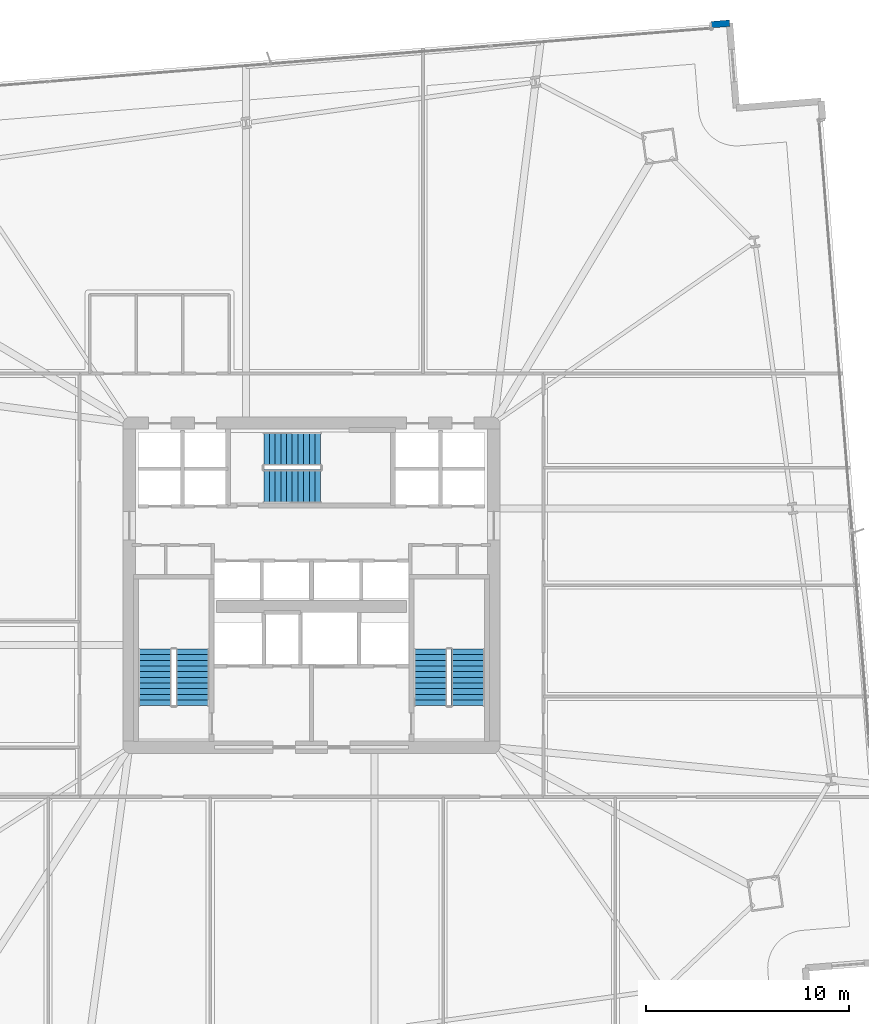
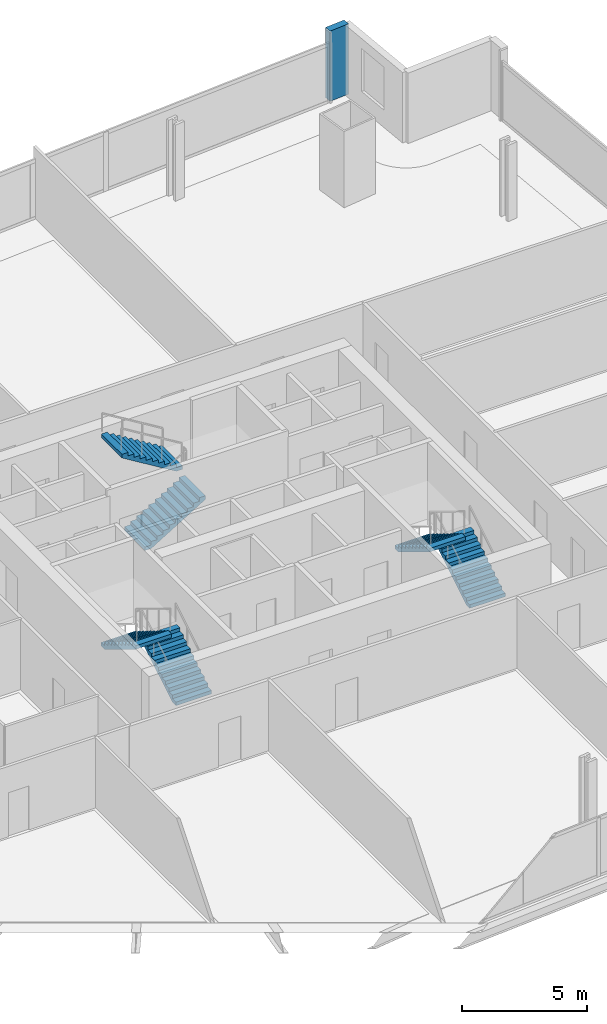
# One storey, part 28 of 33: 6 stair flights, 1 wall, 3 elements without a shape of their own.
"""IFC4 building model written with IfcOpenShell, lengths in metres."""

from ifc_helpers import new_model, si_unit, direction, frame, frame_2d, origin, place, context, subcontext, project, spatial, polyline, rectangle, outline, extrude, material, layer, layer_set, type_object, element, aggregate, save


model = new_model("IFC4")

# Units and contexts
model_context = context("Model", 3, precision=1e-05, world=origin(), true_north=direction((0.0, 1.0)))
body_context = subcontext(model_context, "Body", "Model", "MODEL_VIEW")
ifc_project = project(units=[si_unit("LENGTHUNIT", "METRE"), si_unit("AREAUNIT", "SQUARE_METRE"), si_unit("VOLUMEUNIT", "CUBIC_METRE"), si_unit("PLANEANGLEUNIT", "RADIAN"), si_unit("MASSUNIT", "GRAM", prefix="KILO")], contexts=[model_context])

# Site, building, storey
site_placement = place(None, origin())
site = spatial("IfcSite", under=ifc_project, at=site_placement, CompositionType="ELEMENT")
building_placement = place(site_placement, origin())
building = spatial("IfcBuilding", under=site, at=building_placement, Name="Haldenkirk Collegiate Tower", CompositionType="ELEMENT")
storey_placement = place(building_placement, frame((0.0, 0.0, 43.949951171875)))
storey = spatial("IfcBuildingStorey", under=building, at=storey_placement, Name="L09", CompositionType="ELEMENT", Elevation=43.949951171875)

# Wall
ifc_material_1 = material(Name="Precast concrete f'c 40 MPa", Category="concrete")
ifc_layer = layer(ifc_material_1, 0.320068359375)
ifc_layer_set = layer_set([ifc_layer], Name="Precast concrete f'c 40 MPa")
wall_type = type_object("IfcWallType", Name="WL-EXT-TWR-320", PredefinedType="STANDARD", material=ifc_layer_set)
wall_placement = place(storey_placement, frame((55.744384765625, 53.672607421875, 0.0), z_axis=(0.0, 0.0, 1.0), x_axis=(0.996770262962, 0.080305932999, 0.0)))
element("IfcWall", 1, at=wall_placement, inside=storey, type_object=wall_type, Name="L09 precast corner pier NR", PredefinedType="STANDARD", context=body_context, shape_type="SweptSolid", body=[
    extrude(rectangle(XDim=0.89990234375, YDim=0.320068359375, at=frame_2d((0.449951171875, 0.0))), origin(), (0.0, 0.0, 1.0), 3.43994140625),
])

# Stair, stair flights
ifc_material_2 = material(Name="Concrete f'c 40 MPa", Category="concrete")
stair_type = type_object("IfcStairType", Name="STR-DOGLEG-1650", PredefinedType="HALF_TURN_STAIR", material=ifc_material_2)
stair_1_placement = place(storey_placement, origin())
stair_1 = element("IfcStair", 2, at=stair_1_placement, inside=storey, type_object=stair_type, Name="L09 Core Exit Stair ST-1", PredefinedType="HALF_TURN_STAIR")
stair_flight_type = type_object("IfcStairFlightType", Name="STF-FLIGHT-1650", PredefinedType="STRAIGHT", material=ifc_material_2)
stair_flight_1_placement = place(storey_placement, frame((30.125, 20.050048828125, 0.0), z_axis=(0.0, 0.0, 1.0), x_axis=(0.0, 1.0, 0.0)))
stair_flight_1 = element("IfcStairFlight", 3, at=stair_flight_1_placement, type_object=stair_flight_type, Name="ST-1 flight 1", NumberOfRisers=11, NumberOfTreads=10, PredefinedType="STRAIGHT", RiserHeight=0.170454545, TreadLength=0.28, context=body_context, shape_type="SweptSolid", body=[
    extrude(outline(polyline([(0.0, 0.0), (0.0, 0.17041015625), (0.280029296875, 0.17041015625), (0.280029296875, 0.3408203125), (0.56005859375, 0.3408203125), (0.56005859375, 0.511474609375), (0.840087890625, 0.511474609375), (0.840087890625, 0.681884765625), (1.1201171875, 0.681884765625), (1.1201171875, 0.852294921875), (1.39990234375, 0.852294921875), (1.39990234375, 1.022705078125), (1.679931640625, 1.022705078125), (1.679931640625, 1.193115234375), (1.9599609375, 1.193115234375), (1.9599609375, 1.363525390625), (2.239990234375, 1.363525390625), (2.239990234375, 1.5341796875), (2.52001953125, 1.5341796875), (2.52001953125, 1.70458984375), (2.800048828125, 1.70458984375), (2.800048828125, 1.875), (2.800048828125, 1.529052734375), (0.288330078125, 0.0), (0.0, 0.0)])), frame((0.0, 0.824951171875, 0.0), z_axis=(0.0, -1.0, 0.0), x_axis=(1.0, 0.0, 0.0)), (0.0, 0.0, 1.0), 1.64990234375),
])
stair_flight_2_placement = place(storey_placement, frame((28.27490234375, 22.85009765625, 1.875), z_axis=(0.0, 0.0, 1.0), x_axis=(0.0, -1.0, 0.0)))
stair_flight_2 = element("IfcStairFlight", 4, at=stair_flight_2_placement, type_object=stair_flight_type, Name="ST-1 flight 2", NumberOfRisers=11, NumberOfTreads=10, PredefinedType="STRAIGHT", RiserHeight=0.170454545, TreadLength=0.28, context=body_context, shape_type="SweptSolid", body=[
    extrude(outline(polyline([(0.0, 0.0), (0.0, 0.17041015625), (0.280029296875, 0.17041015625), (0.280029296875, 0.3408203125), (0.56005859375, 0.3408203125), (0.56005859375, 0.511474609375), (0.840087890625, 0.511474609375), (0.840087890625, 0.681884765625), (1.1201171875, 0.681884765625), (1.1201171875, 0.852294921875), (1.39990234375, 0.852294921875), (1.39990234375, 1.022705078125), (1.679931640625, 1.022705078125), (1.679931640625, 1.193115234375), (1.9599609375, 1.193115234375), (1.9599609375, 1.363525390625), (2.239990234375, 1.363525390625), (2.239990234375, 1.5341796875), (2.52001953125, 1.5341796875), (2.52001953125, 1.70458984375), (2.800048828125, 1.70458984375), (2.800048828125, 1.875), (2.800048828125, 1.529052734375), (0.288330078125, 0.0), (0.0, 0.0)])), frame((0.0, 0.824951171875, 0.0), z_axis=(0.0, -1.0, 0.0), x_axis=(1.0, 0.0, 0.0)), (0.0, 0.0, 1.0), 1.64990234375),
])
aggregate(stair_1, [stair_flight_1, stair_flight_2])

stair_2_placement = place(storey_placement, origin())
stair_2 = element("IfcStair", 5, at=stair_2_placement, inside=storey, type_object=stair_type, Name="L09 Core Exit Stair ST-2", PredefinedType="HALF_TURN_STAIR")
stair_flight_3_placement = place(storey_placement, frame((43.72509765625, 20.050048828125, 0.0), z_axis=(0.0, 0.0, 1.0), x_axis=(0.0, 1.0, 0.0)))
stair_flight_3 = element("IfcStairFlight", 6, at=stair_flight_3_placement, type_object=stair_flight_type, Name="ST-2 flight 1", NumberOfRisers=11, NumberOfTreads=10, PredefinedType="STRAIGHT", RiserHeight=0.170454545, TreadLength=0.28, context=body_context, shape_type="SweptSolid", body=[
    extrude(outline(polyline([(0.0, 0.0), (0.0, 0.17041015625), (0.280029296875, 0.17041015625), (0.280029296875, 0.3408203125), (0.56005859375, 0.3408203125), (0.56005859375, 0.511474609375), (0.840087890625, 0.511474609375), (0.840087890625, 0.681884765625), (1.1201171875, 0.681884765625), (1.1201171875, 0.852294921875), (1.39990234375, 0.852294921875), (1.39990234375, 1.022705078125), (1.679931640625, 1.022705078125), (1.679931640625, 1.193115234375), (1.9599609375, 1.193115234375), (1.9599609375, 1.363525390625), (2.239990234375, 1.363525390625), (2.239990234375, 1.5341796875), (2.52001953125, 1.5341796875), (2.52001953125, 1.70458984375), (2.800048828125, 1.70458984375), (2.800048828125, 1.875), (2.800048828125, 1.529052734375), (0.288330078125, 0.0), (0.0, 0.0)])), frame((0.0, 0.824951171875, 0.0), z_axis=(0.0, -1.0, 0.0), x_axis=(1.0, 0.0, 0.0)), (0.0, 0.0, 1.0), 1.64990234375),
])
stair_flight_4_placement = place(storey_placement, frame((41.875, 22.85009765625, 1.875), z_axis=(0.0, 0.0, 1.0), x_axis=(0.0, -1.0, 0.0)))
stair_flight_4 = element("IfcStairFlight", 7, at=stair_flight_4_placement, type_object=stair_flight_type, Name="ST-2 flight 2", NumberOfRisers=11, NumberOfTreads=10, PredefinedType="STRAIGHT", RiserHeight=0.170454545, TreadLength=0.28, context=body_context, shape_type="SweptSolid", body=[
    extrude(outline(polyline([(0.0, 0.0), (0.0, 0.17041015625), (0.280029296875, 0.17041015625), (0.280029296875, 0.3408203125), (0.56005859375, 0.3408203125), (0.56005859375, 0.511474609375), (0.840087890625, 0.511474609375), (0.840087890625, 0.681884765625), (1.1201171875, 0.681884765625), (1.1201171875, 0.852294921875), (1.39990234375, 0.852294921875), (1.39990234375, 1.022705078125), (1.679931640625, 1.022705078125), (1.679931640625, 1.193115234375), (1.9599609375, 1.193115234375), (1.9599609375, 1.363525390625), (2.239990234375, 1.363525390625), (2.239990234375, 1.5341796875), (2.52001953125, 1.5341796875), (2.52001953125, 1.70458984375), (2.800048828125, 1.70458984375), (2.800048828125, 1.875), (2.800048828125, 1.529052734375), (0.288330078125, 0.0), (0.0, 0.0)])), frame((0.0, 0.824951171875, 0.0), z_axis=(0.0, -1.0, 0.0), x_axis=(1.0, 0.0, 0.0)), (0.0, 0.0, 1.0), 1.64990234375),
])
aggregate(stair_2, [stair_flight_3, stair_flight_4])

stair_3_placement = place(storey_placement, origin())
stair_3 = element("IfcStair", 8, at=stair_3_placement, inside=storey, type_object=stair_type, Name="L09 Core Exit Stair ST-3", PredefinedType="HALF_TURN_STAIR")
stair_flight_5_placement = place(storey_placement, frame((33.64990234375, 30.875, 0.0), z_axis=(0.0, 0.0, 1.0), x_axis=(1.0, 0.0, 0.0)))
stair_flight_5 = element("IfcStairFlight", 9, at=stair_flight_5_placement, type_object=stair_flight_type, Name="ST-3 flight 1", NumberOfRisers=11, NumberOfTreads=10, PredefinedType="STRAIGHT", RiserHeight=0.170454545, TreadLength=0.28, context=body_context, shape_type="SweptSolid", body=[
    extrude(outline(polyline([(0.0, 0.0), (0.0, 0.17041015625), (0.280029296875, 0.17041015625), (0.280029296875, 0.3408203125), (0.56005859375, 0.3408203125), (0.56005859375, 0.511474609375), (0.840087890625, 0.511474609375), (0.840087890625, 0.681884765625), (1.1201171875, 0.681884765625), (1.1201171875, 0.852294921875), (1.39990234375, 0.852294921875), (1.39990234375, 1.022705078125), (1.679931640625, 1.022705078125), (1.679931640625, 1.193115234375), (1.9599609375, 1.193115234375), (1.9599609375, 1.363525390625), (2.239990234375, 1.363525390625), (2.239990234375, 1.5341796875), (2.52001953125, 1.5341796875), (2.52001953125, 1.70458984375), (2.800048828125, 1.70458984375), (2.800048828125, 1.875), (2.800048828125, 1.529052734375), (0.288330078125, 0.0), (0.0, 0.0)])), frame((0.0, 0.824951171875, 0.0), z_axis=(0.0, -1.0, 0.0), x_axis=(1.0, 0.0, 0.0)), (0.0, 0.0, 1.0), 1.64990234375),
])
stair_flight_6_placement = place(storey_placement, frame((36.449951171875, 32.72509765625, 1.875), z_axis=(0.0, 0.0, 1.0), x_axis=(-1.0, 0.0, 0.0)))
stair_flight_6 = element("IfcStairFlight", 10, at=stair_flight_6_placement, type_object=stair_flight_type, Name="ST-3 flight 2", NumberOfRisers=11, NumberOfTreads=10, PredefinedType="STRAIGHT", RiserHeight=0.170454545, TreadLength=0.28, context=body_context, shape_type="SweptSolid", body=[
    extrude(outline(polyline([(0.0, 0.0), (0.0, 0.17041015625), (0.280029296875, 0.17041015625), (0.280029296875, 0.3408203125), (0.56005859375, 0.3408203125), (0.56005859375, 0.511474609375), (0.840087890625, 0.511474609375), (0.840087890625, 0.681884765625), (1.1201171875, 0.681884765625), (1.1201171875, 0.852294921875), (1.39990234375, 0.852294921875), (1.39990234375, 1.022705078125), (1.679931640625, 1.022705078125), (1.679931640625, 1.193115234375), (1.9599609375, 1.193115234375), (1.9599609375, 1.363525390625), (2.239990234375, 1.363525390625), (2.239990234375, 1.5341796875), (2.52001953125, 1.5341796875), (2.52001953125, 1.70458984375), (2.800048828125, 1.70458984375), (2.800048828125, 1.875), (2.800048828125, 1.529052734375), (0.288330078125, 0.0), (0.0, 0.0)])), frame((0.0, 0.824951171875, 0.0), z_axis=(0.0, -1.0, 0.0), x_axis=(1.0, 0.0, 0.0)), (0.0, 0.0, 1.0), 1.64990234375),
])
aggregate(stair_3, [stair_flight_5, stair_flight_6])

save(model, "model.ifc")
